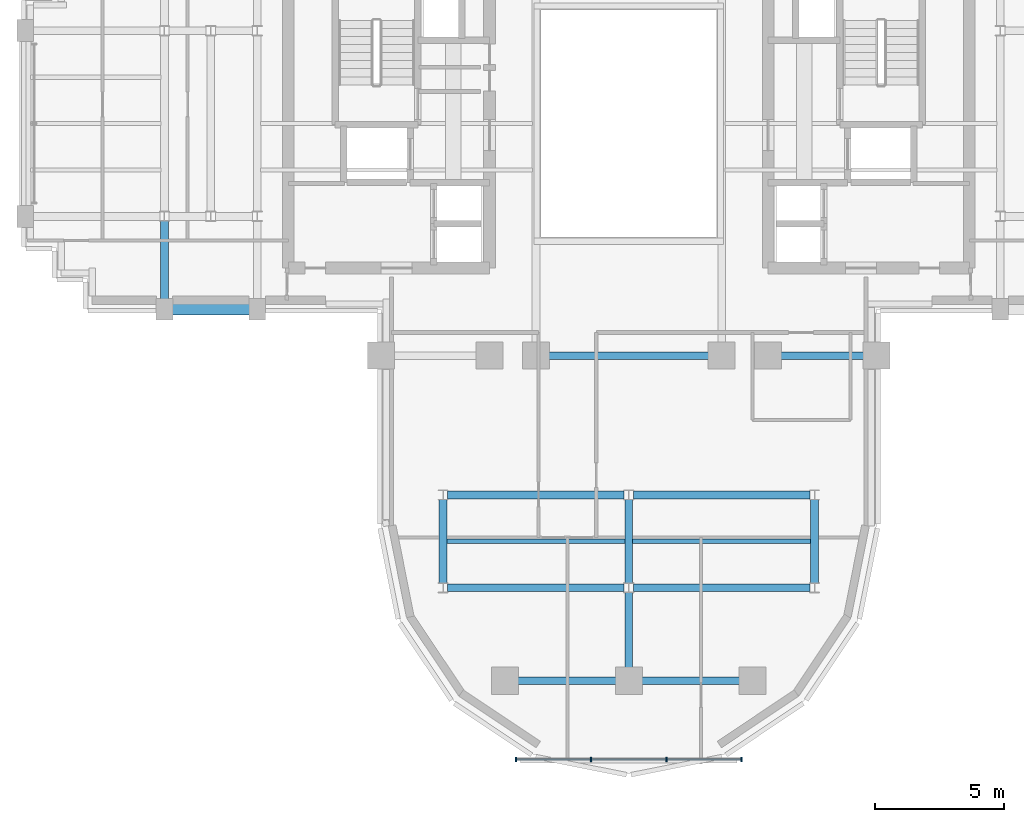
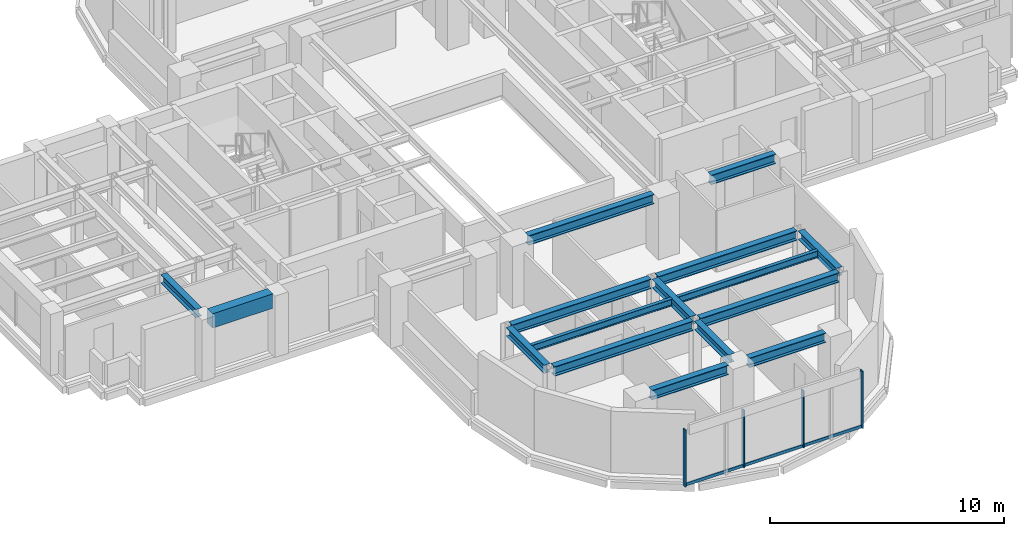
# One storey, part 3 of 14: 16 beams, 7 members, 1 element without a shape of its own.
"""IFC4 building model written with IfcOpenShell, lengths in metres."""

from ifc_helpers import new_model, si_unit, direction, frame, origin, origin_2d, place, context, subcontext, project, spatial, rectangle, i_section, extrude, source, transform, mapped, material, material_profile, profile_set, type_object, element, aggregate, save


model = new_model("IFC4")

# Units and contexts
model_context = context("Model", 3, precision=1e-05, world=origin(), true_north=direction((0.0, 1.0)))
body_context = subcontext(model_context, "Body", "Model", "MODEL_VIEW")
ifc_project = project(units=[si_unit("LENGTHUNIT", "METRE"), si_unit("AREAUNIT", "SQUARE_METRE"), si_unit("VOLUMEUNIT", "CUBIC_METRE"), si_unit("PLANEANGLEUNIT", "RADIAN"), si_unit("MASSUNIT", "GRAM", prefix="KILO")], contexts=[model_context])

# Site, building, storey
site_placement = place(None, origin())
site = spatial("IfcSite", under=ifc_project, at=site_placement, CompositionType="ELEMENT")
building_placement = place(site_placement, origin())
building = spatial("IfcBuilding", under=site, at=building_placement, Name="Keilestroom Media Tower", CompositionType="ELEMENT")
storey_placement = place(building_placement, frame((0.0, 0.0, 117.60009765625)))
storey = spatial("IfcBuildingStorey", under=building, at=storey_placement, Name="L31", CompositionType="ELEMENT", Elevation=117.60009765625)

# Beams
ifc_material_1 = material(Name="Steel S355", Category="steel")
ifc_material_profile_1 = material_profile(ifc_material_1, i_section(OverallWidth=0.169921875, OverallDepth=0.360107421875, WebThickness=0.008056640625, FlangeThickness=0.0126953125, at=origin_2d()), Name="IPE 360")
ifc_profile_set_1 = profile_set([ifc_material_profile_1], Name="Steel S355")
beam_type_1 = type_object("IfcBeamType", Name="Secondary-Floor-Joist-IPE-360", PredefinedType="JOIST", material=ifc_profile_set_1)
shared_shape_1 = source(origin(), body_context, "Body", "SweptSolid", [
    extrude(i_section(OverallWidth=0.169921875, OverallDepth=0.360107421875, WebThickness=0.008056640625, FlangeThickness=0.0126953125, at=origin_2d()), origin(), (0.0, 0.0, 1.0), 6.940185546875),
])
for number, where, z_axis, x_axis, name in (
    (1, (-7.070068359375, -16.199951171875, 3.02001953125), (1.0, 0.0, 0.0), (0.0, 1.0, 0.0), "L31 Beam BJ-5 JST-L31-069"),
    (2, (0.1298828125, -16.199951171875, 3.02001953125), (1.0, 0.0, 0.0), (0.0, 1.0, 0.0), "L31 Beam BJ-5 JST-L31-070"),
):
    element("IfcBeam", number, at=place(storey_placement, frame(where, z_axis=z_axis, x_axis=x_axis)), inside=storey, type_object=beam_type_1, Name=name, PredefinedType="JOIST", context=body_context, shape_type="MappedRepresentation", body=[
        mapped(shared_shape_1, transform((0.0, 0.0, 0.0), x_axis=(1.0, 0.0, 0.0), y_axis=(0.0, 1.0, 0.0), z_axis=(0.0, 0.0, 1.0), scale=1.0)),
    ])
ifc_material_profile_2 = material_profile(ifc_material_1, i_section(OverallWidth=0.300048828125, OverallDepth=0.5, WebThickness=0.012451171875, FlangeThickness=0.028076171875, at=origin_2d()), Name="HEB 500")
ifc_profile_set_2 = profile_set([ifc_material_profile_2], Name="Steel S355")
beam_type_2 = type_object("IfcBeamType", Name="Primary-Structural-Girder-HEB-500", PredefinedType="BEAM", material=ifc_profile_set_2)
shared_shape_2 = source(origin(), body_context, "Body", "SweptSolid", [
    extrude(i_section(OverallWidth=0.300048828125, OverallDepth=0.5, WebThickness=0.012451171875, FlangeThickness=0.028076171875, at=origin_2d()), origin(), (0.0, 0.0, 1.0), 3.7900390625),
])
for number, where, z_axis, x_axis, name in (
    (3, (-4.294921875, -21.60009765625, 2.949951171875), (1.0, 0.0, 0.0), (0.0, 1.0, 0.0), "L31 Beam BG-6 BM-L31-EW-001"),
    (4, (0.5048828125, -21.60009765625, 2.949951171875), (1.0, 0.0, 0.0), (0.0, 1.0, 0.0), "L31 Beam BG-6 BM-L31-EW-002"),
):
    element("IfcBeam", number, at=place(storey_placement, frame(where, z_axis=z_axis, x_axis=x_axis)), inside=storey, type_object=beam_type_2, Name=name, PredefinedType="BEAM", context=body_context, shape_type="MappedRepresentation", body=[
        mapped(shared_shape_2, transform((0.0, 0.0, 0.0), x_axis=(1.0, 0.0, 0.0), y_axis=(0.0, 1.0, 0.0), z_axis=(0.0, 0.0, 1.0), scale=1.0)),
    ])
shared_shape_3 = source(origin(), body_context, "Body", "SweptSolid", [
    extrude(i_section(OverallWidth=0.300048828125, OverallDepth=0.5, WebThickness=0.012451171875, FlangeThickness=0.028076171875, at=origin_2d()), origin(), (0.0, 0.0, 1.0), 6.839111328125),
])
for number, where, z_axis, x_axis, name in (
    (5, (-7.01953125, -18.0, 2.949951171875), (1.0, 0.0, 0.0), (0.0, 1.0, 0.0), "L31 Beam BG-6 BM-L31-EW-003"),
    (6, (0.180419921875, -18.0, 2.949951171875), (1.0, 0.0, 0.0), (0.0, 1.0, 0.0), "L31 Beam BG-6 BM-L31-EW-004"),
    (7, (-7.01953125, -14.39990234375, 2.949951171875), (1.0, 0.0, 0.0), (0.0, 1.0, 0.0), "L31 Beam BG-6 BM-L31-EW-005"),
    (8, (0.180419921875, -14.39990234375, 2.949951171875), (1.0, 0.0, 0.0), (0.0, 1.0, 0.0), "L31 Beam BG-6 BM-L31-EW-006"),
):
    element("IfcBeam", number, at=place(storey_placement, frame(where, z_axis=z_axis, x_axis=x_axis)), inside=storey, type_object=beam_type_2, Name=name, PredefinedType="BEAM", context=body_context, shape_type="MappedRepresentation", body=[
        mapped(shared_shape_3, transform((0.0, 0.0, 0.0), x_axis=(1.0, 0.0, 0.0), y_axis=(0.0, 1.0, 0.0), z_axis=(0.0, 0.0, 1.0), scale=1.0)),
    ])
shared_shape_4 = source(origin(), body_context, "Body", "SweptSolid", [
    extrude(i_section(OverallWidth=0.300048828125, OverallDepth=0.5, WebThickness=0.012451171875, FlangeThickness=0.028076171875, at=origin_2d()), origin(), (0.0, 0.0, 1.0), 3.18994140625),
])
beam_1_placement = place(storey_placement, frame((5.905029296875, -9.0, 2.949951171875), z_axis=(1.0, 0.0, 0.0), x_axis=(0.0, 1.0, 0.0)))
element("IfcBeam", 9, at=beam_1_placement, inside=storey, type_object=beam_type_2, Name="L31 Beam BG-6 BM-L31-EW-011", PredefinedType="BEAM", context=body_context, shape_type="MappedRepresentation", body=[
    mapped(shared_shape_4, transform((0.0, 0.0, 0.0), x_axis=(1.0, 0.0, 0.0), y_axis=(0.0, 1.0, 0.0), z_axis=(0.0, 0.0, 1.0), scale=1.0)),
])
shared_shape_5 = source(origin(), body_context, "Body", "SweptSolid", [
    extrude(i_section(OverallWidth=0.300048828125, OverallDepth=0.5, WebThickness=0.012451171875, FlangeThickness=0.028076171875, at=origin_2d()), origin(), (0.0, 0.0, 1.0), 6.18994140625),
])
beam_2_placement = place(storey_placement, frame((-3.094970703125, -9.0, 2.949951171875), z_axis=(1.0, 0.0, 0.0), x_axis=(0.0, 1.0, 0.0)))
element("IfcBeam", 10, at=beam_2_placement, inside=storey, type_object=beam_type_2, Name="L31 Beam BG-6 BM-L31-EW-009", PredefinedType="BEAM", context=body_context, shape_type="MappedRepresentation", body=[
    mapped(shared_shape_5, transform((0.0, 0.0, 0.0), x_axis=(1.0, 0.0, 0.0), y_axis=(0.0, 1.0, 0.0), z_axis=(0.0, 0.0, 1.0), scale=1.0)),
])
ifc_material_2 = material(Name="Precast concrete C40/50", Category="concrete")
ifc_material_profile_3 = material_profile(ifc_material_2, rectangle(XDim=0.449951171875, YDim=0.75, at=origin_2d()), Name="PC 450x750")
ifc_profile_set_3 = profile_set([ifc_material_profile_3], Name="Precast concrete C40/50")
beam_type_3 = type_object("IfcBeamType", Name="Perimeter-Spandrel-Beam-PC-450x750", PredefinedType="SPANDREL", material=ifc_profile_set_3)
shared_shape_6 = source(origin(), body_context, "Body", "SweptSolid", [
    extrude(rectangle(XDim=0.449951171875, YDim=0.75, at=origin_2d()), origin(), (0.0, 0.0, 1.0), 2.989990234375),
])
beam_3_placement = place(storey_placement, frame((-17.695068359375, -7.199951171875, 2.824951171875), z_axis=(1.0, 0.0, 0.0), x_axis=(0.0, 1.0, 0.0)))
element("IfcBeam", 11, at=beam_3_placement, inside=storey, type_object=beam_type_3, Name="L31 Beam SPB-1 BM-L31-EW-012", PredefinedType="SPANDREL", context=body_context, shape_type="MappedRepresentation", body=[
    mapped(shared_shape_6, transform((0.0, 0.0, 0.0), x_axis=(1.0, 0.0, 0.0), y_axis=(0.0, 1.0, 0.0), z_axis=(0.0, 0.0, 1.0), scale=1.0)),
])
ifc_material_profile_4 = material_profile(ifc_material_1, i_section(OverallWidth=0.300048828125, OverallDepth=0.43994140625, WebThickness=0.011474609375, FlangeThickness=0.02099609375, at=origin_2d()), Name="HEA 450")
ifc_profile_set_4 = profile_set([ifc_material_profile_4], Name="Steel S355")
beam_type_4 = type_object("IfcBeamType", Name="Primary-Structural-Girder-HEA-450", PredefinedType="BEAM", material=ifc_profile_set_4)
shared_shape_7 = source(origin(), body_context, "Body", "SweptSolid", [
    extrude(i_section(OverallWidth=0.300048828125, OverallDepth=0.43994140625, WebThickness=0.011474609375, FlangeThickness=0.02099609375, at=origin_2d()), origin(), (0.0, 0.0, 1.0), 3.015380859375),
])
beam_4_placement = place(storey_placement, frame((-18.0, -6.794921875, 2.97998046875), z_axis=(0.0, 1.0, 0.0), x_axis=(-1.0, 0.0, 0.0)))
element("IfcBeam", 12, at=beam_4_placement, inside=storey, type_object=beam_type_4, Name="L31 Beam BG-11 BM-L31-NS-040", PredefinedType="BEAM", context=body_context, shape_type="MappedRepresentation", body=[
    mapped(shared_shape_7, transform((0.0, 0.0, 0.0), x_axis=(1.0, 0.0, 0.0), y_axis=(0.0, 1.0, 0.0), z_axis=(0.0, 0.0, 1.0), scale=1.0)),
])
shared_shape_8 = source(origin(), body_context, "Body", "SweptSolid", [
    extrude(i_section(OverallWidth=0.300048828125, OverallDepth=0.43994140625, WebThickness=0.011474609375, FlangeThickness=0.02099609375, at=origin_2d()), origin(), (0.0, 0.0, 1.0), 3.240966796875),
])
for number, where, z_axis, x_axis, name in (
    (13, (-7.199951171875, -17.820556640625, 2.97998046875), (0.0, 1.0, 0.0), (-1.0, 0.0, 0.0), "L31 Beam BG-11 BM-L31-NS-048"),
    (14, (0.0, -17.820556640625, 2.97998046875), (0.0, 1.0, 0.0), (-1.0, 0.0, 0.0), "L31 Beam BG-11 BM-L31-NS-053"),
    (15, (7.199951171875, -17.820556640625, 2.97998046875), (0.0, 1.0, 0.0), (-1.0, 0.0, 0.0), "L31 Beam BG-11 BM-L31-NS-058"),
):
    element("IfcBeam", number, at=place(storey_placement, frame(where, z_axis=z_axis, x_axis=x_axis)), inside=storey, type_object=beam_type_4, Name=name, PredefinedType="BEAM", context=body_context, shape_type="MappedRepresentation", body=[
        mapped(shared_shape_8, transform((0.0, 0.0, 0.0), x_axis=(1.0, 0.0, 0.0), y_axis=(0.0, 1.0, 0.0), z_axis=(0.0, 0.0, 1.0), scale=1.0)),
    ])
shared_shape_9 = source(origin(), body_context, "Body", "SweptSolid", [
    extrude(i_section(OverallWidth=0.300048828125, OverallDepth=0.43994140625, WebThickness=0.011474609375, FlangeThickness=0.02099609375, at=origin_2d()), origin(), (0.0, 0.0, 1.0), 2.91552734375),
])
beam_5_placement = place(storey_placement, frame((0.0, -21.094970703125, 2.97998046875), z_axis=(0.0, 1.0, 0.0), x_axis=(-1.0, 0.0, 0.0)))
element("IfcBeam", 16, at=beam_5_placement, inside=storey, type_object=beam_type_4, Name="L31 Beam BG-11 BM-L31-NS-052", PredefinedType="BEAM", context=body_context, shape_type="MappedRepresentation", body=[
    mapped(shared_shape_9, transform((0.0, 0.0, 0.0), x_axis=(1.0, 0.0, 0.0), y_axis=(0.0, 1.0, 0.0), z_axis=(0.0, 0.0, 1.0), scale=1.0)),
])

# Curtain wall, members
ifc_material_3 = material(Name="Anodised Aluminium Alloy", Category="aluminium")
curtain_wall_type = type_object("IfcCurtainWallType", Name="Unitised-Curtain-Wall-CW-6", PredefinedType="NOTDEFINED", material=ifc_material_3)
curtain_wall_placement = place(storey_placement, origin())
curtain_wall = element("IfcCurtainWall", 17, at=curtain_wall_placement, inside=storey, type_object=curtain_wall_type, Name="L31 Curtain Wall CW-6 CW-L31-LS-1", PredefinedType="NOTDEFINED")
ifc_material_profile_5 = material_profile(ifc_material_3, rectangle(XDim=0.06494140625, YDim=0.179931640625, at=origin_2d()), Name="ALU MULLION 65x180")
ifc_profile_set_5 = profile_set([ifc_material_profile_5], Name="Anodised Aluminium Alloy")
member_type_1 = type_object("IfcMemberType", Name="Curtain-Wall-Mullion-CW-6", PredefinedType="MULLION", material=ifc_profile_set_5)
shared_shape_10 = source(origin(), body_context, "Body", "SweptSolid", [
    extrude(rectangle(XDim=0.06494140625, YDim=0.179931640625, at=origin_2d()), origin(), (0.0, 0.0, 1.0), 2.97998046875),
])
member_1_placement = place(storey_placement, frame((-4.367431640625, -24.64990234375, 0.0), z_axis=(0.0, 0.0, 1.0), x_axis=(1.0, 0.0, 0.0)))
member_1 = element("IfcMember", 18, at=member_1_placement, type_object=member_type_1, Name="CW-6 Mullion 00", PredefinedType="MULLION", context=body_context, shape_type="MappedRepresentation", body=[
    mapped(shared_shape_10, transform((0.0, 0.0, 0.0), x_axis=(1.0, 0.0, 0.0), y_axis=(0.0, 1.0, 0.0), z_axis=(0.0, 0.0, 1.0), scale=1.0)),
])
member_2_placement = place(storey_placement, frame((-1.466796875, -24.64990234375, 0.0), z_axis=(0.0, 0.0, 1.0), x_axis=(1.0, 0.0, 0.0)))
member_2 = element("IfcMember", 19, at=member_2_placement, type_object=member_type_1, Name="CW-6 Mullion 01", PredefinedType="MULLION", context=body_context, shape_type="MappedRepresentation", body=[
    mapped(shared_shape_10, transform((0.0, 0.0, 0.0), x_axis=(1.0, 0.0, 0.0), y_axis=(0.0, 1.0, 0.0), z_axis=(0.0, 0.0, 1.0), scale=1.0)),
])
member_3_placement = place(storey_placement, frame((1.466796875, -24.64990234375, 0.0), z_axis=(0.0, 0.0, 1.0), x_axis=(1.0, 0.0, 0.0)))
member_3 = element("IfcMember", 20, at=member_3_placement, type_object=member_type_1, Name="CW-6 Mullion 02", PredefinedType="MULLION", context=body_context, shape_type="MappedRepresentation", body=[
    mapped(shared_shape_10, transform((0.0, 0.0, 0.0), x_axis=(1.0, 0.0, 0.0), y_axis=(0.0, 1.0, 0.0), z_axis=(0.0, 0.0, 1.0), scale=1.0)),
])
member_4_placement = place(storey_placement, frame((4.367431640625, -24.64990234375, 0.0), z_axis=(0.0, 0.0, 1.0), x_axis=(1.0, 0.0, 0.0)))
member_4 = element("IfcMember", 21, at=member_4_placement, type_object=member_type_1, Name="CW-6 Mullion 03", PredefinedType="MULLION", context=body_context, shape_type="MappedRepresentation", body=[
    mapped(shared_shape_10, transform((0.0, 0.0, 0.0), x_axis=(1.0, 0.0, 0.0), y_axis=(0.0, 1.0, 0.0), z_axis=(0.0, 0.0, 1.0), scale=1.0)),
])
ifc_material_profile_6 = material_profile(ifc_material_3, rectangle(XDim=0.06494140625, YDim=0.14990234375, at=origin_2d()), Name="ALU TRANSOM 65x150")
ifc_profile_set_6 = profile_set([ifc_material_profile_6], Name="Anodised Aluminium Alloy")
member_type_2 = type_object("IfcMemberType", Name="Curtain-Wall-Transom-CW-6", PredefinedType="USERDEFINED", material=ifc_profile_set_6)
shared_shape_11 = source(origin(), body_context, "Body", "SweptSolid", [
    extrude(rectangle(XDim=0.06494140625, YDim=0.14990234375, at=origin_2d()), origin(), (0.0, 0.0, 1.0), 2.839599609375),
])
member_5_placement = place(storey_placement, frame((-4.3369140625, -24.64990234375, 0.074951171875), z_axis=(1.0, 0.0, 0.0), x_axis=(0.0, 1.0, 0.0)))
member_5 = element("IfcMember", 22, at=member_5_placement, type_object=member_type_2, Name="CW-6 Transom 00.1", ObjectType="TRANSOM", PredefinedType="USERDEFINED", context=body_context, shape_type="MappedRepresentation", body=[
    mapped(shared_shape_11, transform((0.0, 0.0, 0.0), x_axis=(1.0, 0.0, 0.0), y_axis=(0.0, 1.0, 0.0), z_axis=(0.0, 0.0, 1.0), scale=1.0)),
])
member_6_placement = place(storey_placement, frame((1.497314453125, -24.64990234375, 0.074951171875), z_axis=(1.0, 0.0, 0.0), x_axis=(0.0, 1.0, 0.0)))
member_6 = element("IfcMember", 23, at=member_6_placement, type_object=member_type_2, Name="CW-6 Transom 02.1", ObjectType="TRANSOM", PredefinedType="USERDEFINED", context=body_context, shape_type="MappedRepresentation", body=[
    mapped(shared_shape_11, transform((0.0, 0.0, 0.0), x_axis=(1.0, 0.0, 0.0), y_axis=(0.0, 1.0, 0.0), z_axis=(0.0, 0.0, 1.0), scale=1.0)),
])
shared_shape_12 = source(origin(), body_context, "Body", "SweptSolid", [
    extrude(rectangle(XDim=0.06494140625, YDim=0.14990234375, at=origin_2d()), origin(), (0.0, 0.0, 1.0), 2.87255859375),
])
member_7_placement = place(storey_placement, frame((-1.436279296875, -24.64990234375, 0.074951171875), z_axis=(1.0, 0.0, 0.0), x_axis=(0.0, 1.0, 0.0)))
member_7 = element("IfcMember", 24, at=member_7_placement, type_object=member_type_2, Name="CW-6 Transom 01.1", ObjectType="TRANSOM", PredefinedType="USERDEFINED", context=body_context, shape_type="MappedRepresentation", body=[
    mapped(shared_shape_12, transform((0.0, 0.0, 0.0), x_axis=(1.0, 0.0, 0.0), y_axis=(0.0, 1.0, 0.0), z_axis=(0.0, 0.0, 1.0), scale=1.0)),
])
aggregate(curtain_wall, [member_1, member_2, member_3, member_4, member_5, member_7, member_6])

save(model, "model.ifc")
